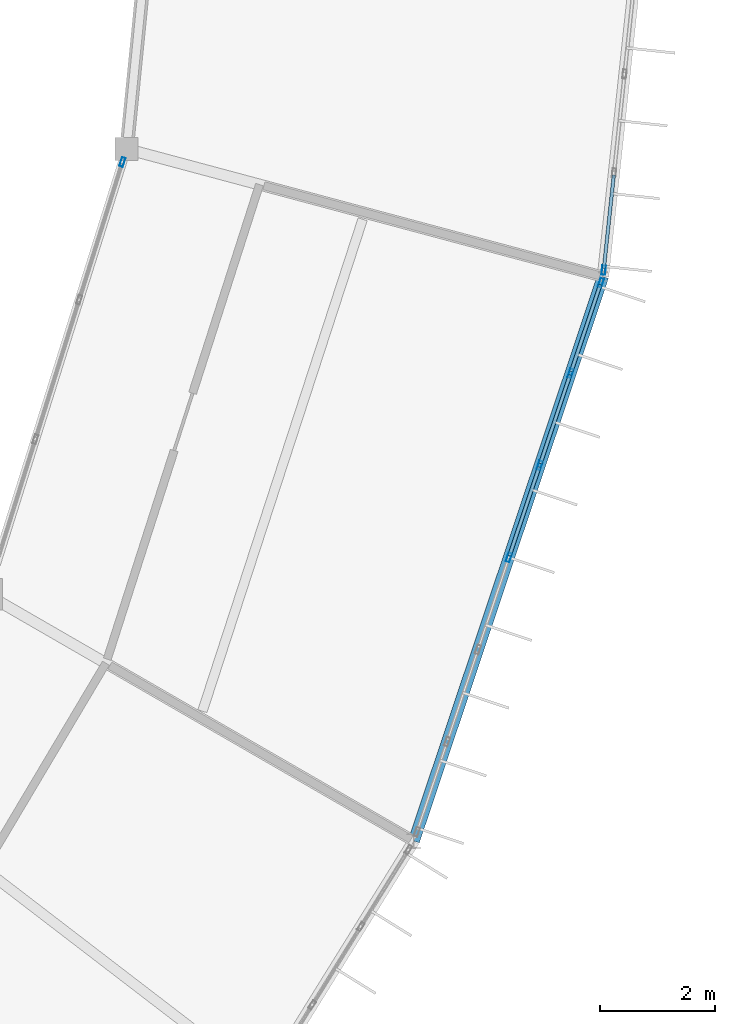
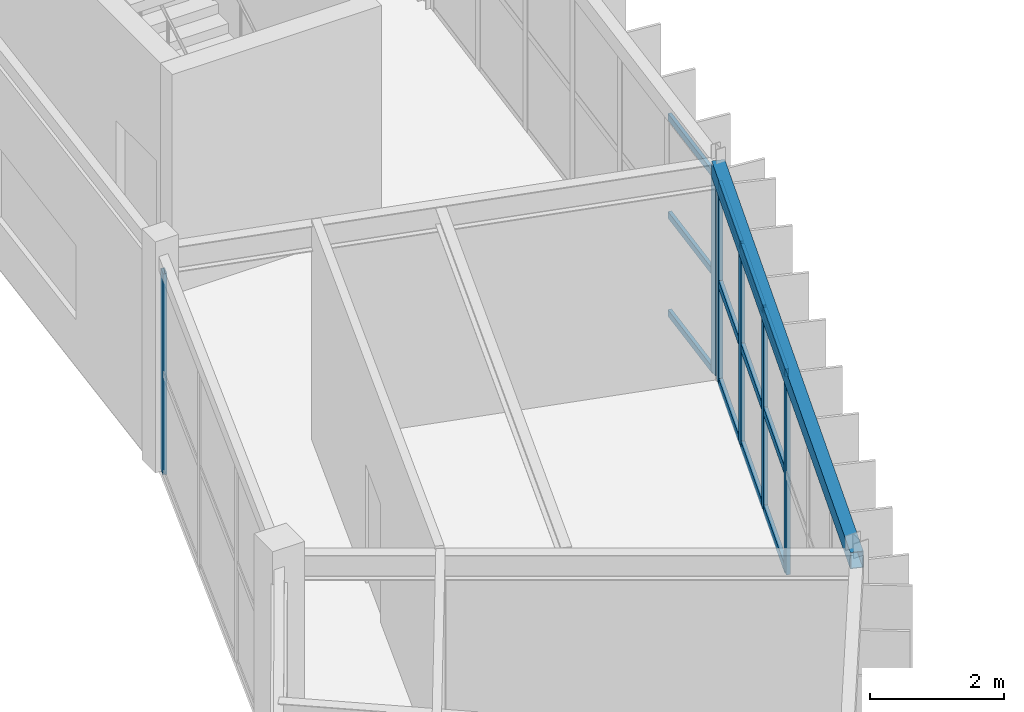
# One storey, part 49 of 106: 18 members, 1 beam, 3 elements without a shape of their own.
"""IFC4 building model written with IfcOpenShell, lengths in metres."""

from ifc_helpers import new_model, si_unit, direction, frame, origin, origin_2d, place, context, subcontext, project, spatial, hollow_rectangle, extrude, material, material_profile, profile_set, type_object, element, aggregate, save


model = new_model("IFC4")

# Units and contexts
model_context = context("Model", 3, precision=1e-05, world=origin(), true_north=direction((0.0, 1.0)))
body_context = subcontext(model_context, "Body", "Model", "MODEL_VIEW")
ifc_project = project(units=[si_unit("LENGTHUNIT", "METRE"), si_unit("AREAUNIT", "SQUARE_METRE"), si_unit("VOLUMEUNIT", "CUBIC_METRE"), si_unit("PLANEANGLEUNIT", "RADIAN"), si_unit("MASSUNIT", "GRAM", prefix="KILO")], contexts=[model_context])

# Site, building, storey
site_placement = place(None, origin())
site = spatial("IfcSite", under=ifc_project, at=site_placement, CompositionType="ELEMENT")
building_placement = place(site_placement, origin())
building = spatial("IfcBuilding", under=site, at=building_placement, Name="Karori Crest Natural Sciences Institute", CompositionType="ELEMENT")
storey_placement = place(building_placement, frame((0.0, 0.0, 25.89990234375)))
storey = spatial("IfcBuildingStorey", under=building, at=storey_placement, Name="L06", CompositionType="ELEMENT", Elevation=25.89990234375)

# Beam
ifc_material_1 = material(Name="Hollow structural steel AS/NZS 1163 Grade C350", Category="steel")
ifc_material_profile_1 = material_profile(ifc_material_1, hollow_rectangle(XDim=0.199951171875, YDim=0.300048828125, WallThickness=0.010009765625, at=origin_2d()), Name="RHS300x200x10")
ifc_profile_set_1 = profile_set([ifc_material_profile_1], Name="Hollow structural steel AS/NZS 1163 Grade C350")
beam_type = type_object("IfcBeamType", Name="BT-15", PredefinedType="SPANDREL", material=ifc_profile_set_1)
beam_placement = place(storey_placement, frame((94.978759765625, 29.5, 3.7900390625), z_axis=(0.317688324477, 0.948195195353, 0.0), x_axis=(-0.948195195353, 0.317688324477, 0.0)))
element("IfcBeam", 1, at=beam_placement, inside=storey, type_object=beam_type, Name="Beam B-0637", PredefinedType="SPANDREL", context=body_context, shape_type="SweptSolid", body=[
    extrude(hollow_rectangle(XDim=0.199951171875, YDim=0.300048828125, WallThickness=0.010009765625, at=origin_2d()), origin(), (0.0, 0.0, 1.0), 10.377685546875),
])

# Curtain wall, members
ifc_material_2 = material(Name="Anodised architectural aluminium 6063-T6", Category="aluminium")
curtain_wall_type_1 = type_object("IfcCurtainWallType", Name="CWT-03", PredefinedType="NOTDEFINED", material=ifc_material_2)
curtain_wall_1_placement = place(storey_placement, origin())
curtain_wall_1 = element("IfcCurtainWall", 2, at=curtain_wall_1_placement, inside=storey, type_object=curtain_wall_type_1, Name="Curtain wall CW-0217", PredefinedType="NOTDEFINED")
ifc_material_profile_2 = material_profile(ifc_material_2, hollow_rectangle(XDim=0.06494140625, YDim=0.159912109375, WallThickness=0.00390625, at=origin_2d()), Name="CWM160x65x4")
ifc_profile_set_2 = profile_set([ifc_material_profile_2], Name="Anodised architectural aluminium 6063-T6")
member_type_1 = type_object("IfcMemberType", Name="CWM-01", PredefinedType="MULLION", material=ifc_profile_set_2)
member_1_placement = place(storey_placement, frame((98.23876953125, 39.230224609375, 0.0), z_axis=(0.0, 0.0, 1.0), x_axis=(0.94819805026, -0.317679803392, 0.0)))
member_1 = element("IfcMember", 3, at=member_1_placement, type_object=member_type_1, Name="CW-0217 mullion 1", PredefinedType="MULLION", context=body_context, shape_type="SweptSolid", body=[
    extrude(hollow_rectangle(XDim=0.06494140625, YDim=0.159912109375, WallThickness=0.00390625, at=origin_2d()), origin(), (0.0, 0.0, 1.0), 3.625),
])
member_2_placement = place(storey_placement, frame((97.7109375, 37.655029296875, 0.0), z_axis=(0.0, 0.0, 1.0), x_axis=(0.94819805026, -0.317679803392, 0.0)))
member_2 = element("IfcMember", 4, at=member_2_placement, type_object=member_type_1, Name="CW-0217 mullion 2", PredefinedType="MULLION", context=body_context, shape_type="SweptSolid", body=[
    extrude(hollow_rectangle(XDim=0.06494140625, YDim=0.159912109375, WallThickness=0.00390625, at=origin_2d()), origin(), (0.0, 0.0, 1.0), 3.625),
])
member_3_placement = place(storey_placement, frame((97.1728515625, 36.049072265625, 0.0), z_axis=(0.0, 0.0, 1.0), x_axis=(0.94819805026, -0.317679803392, 0.0)))
member_3 = element("IfcMember", 5, at=member_3_placement, type_object=member_type_1, Name="CW-0217 mullion 3", PredefinedType="MULLION", context=body_context, shape_type="SweptSolid", body=[
    extrude(hollow_rectangle(XDim=0.06494140625, YDim=0.159912109375, WallThickness=0.00390625, at=origin_2d()), origin(), (0.0, 0.0, 1.0), 3.625),
])
member_4_placement = place(storey_placement, frame((96.635009765625, 34.443115234375, 0.0), z_axis=(0.0, 0.0, 1.0), x_axis=(0.94819805026, -0.317679803392, 0.0)))
member_4 = element("IfcMember", 6, at=member_4_placement, type_object=member_type_1, Name="CW-0217 mullion 4", PredefinedType="MULLION", context=body_context, shape_type="SweptSolid", body=[
    extrude(hollow_rectangle(XDim=0.06494140625, YDim=0.159912109375, WallThickness=0.00390625, at=origin_2d()), origin(), (0.0, 0.0, 1.0), 3.625),
])

# Curtain wall, member
curtain_wall_type_2 = type_object("IfcCurtainWallType", Name="CWT-13", PredefinedType="NOTDEFINED", material=ifc_material_2)
curtain_wall_2_placement = place(storey_placement, origin())
curtain_wall_2 = element("IfcCurtainWall", 7, at=curtain_wall_2_placement, inside=storey, type_object=curtain_wall_type_2, Name="Curtain wall CW-0218", PredefinedType="NOTDEFINED")
member_5_placement = place(storey_placement, frame((89.896728515625, 41.3369140625, 0.0), z_axis=(0.0, 0.0, 1.0), x_axis=(-0.954104067778, 0.299475254154, 0.0)))
member_5 = element("IfcMember", 8, at=member_5_placement, type_object=member_type_1, Name="CW-0218 mullion 4", PredefinedType="MULLION", context=body_context, shape_type="SweptSolid", body=[
    extrude(hollow_rectangle(XDim=0.06494140625, YDim=0.159912109375, WallThickness=0.00390625, at=origin_2d()), origin(), (0.0, 0.0, 1.0), 3.650146484375),
])
aggregate(curtain_wall_2, [member_5])

# Curtain wall, members
curtain_wall_type_3 = type_object("IfcCurtainWallType", Name="CWT-04", PredefinedType="NOTDEFINED", material=ifc_material_2)
curtain_wall_3_placement = place(storey_placement, origin())
curtain_wall_3 = element("IfcCurtainWall", 9, at=curtain_wall_3_placement, inside=storey, type_object=curtain_wall_type_3, Name="Curtain wall CW-0219", PredefinedType="NOTDEFINED")
member_6_placement = place(storey_placement, frame((98.287353515625, 39.45166015625, 0.0), z_axis=(0.0, 0.0, 1.0), x_axis=(0.994378309998, -0.105885677057, 0.0)))
member_6 = element("IfcMember", 10, at=member_6_placement, type_object=member_type_1, Name="CW-0219 mullion 7", PredefinedType="MULLION", context=body_context, shape_type="SweptSolid", body=[
    extrude(hollow_rectangle(XDim=0.06494140625, YDim=0.159912109375, WallThickness=0.00390625, at=origin_2d()), origin(), (0.0, 0.0, 1.0), 3.625),
])
ifc_material_profile_3 = material_profile(ifc_material_2, hollow_rectangle(XDim=0.06005859375, YDim=0.1201171875, WallThickness=0.00390625, at=origin_2d()), Name="CWT120x60x4")
ifc_profile_set_3 = profile_set([ifc_material_profile_3], Name="Anodised architectural aluminium 6063-T6")
member_type_2 = type_object("IfcMemberType", Name="CWT-TR1", PredefinedType="USERDEFINED", material=ifc_profile_set_3)
member_7_placement = place(storey_placement, frame((98.46435546875, 41.112548828125, 0.030029296875), z_axis=(-0.1059804823, -0.994368210157, 0.0), x_axis=(0.994368210157, -0.1059804823, 0.0)))
member_7 = element("IfcMember", 11, at=member_7_placement, type_object=member_type_2, Name="CW-0219 transom 6.1", ObjectType="TRANSOM", PredefinedType="USERDEFINED", context=body_context, shape_type="SweptSolid", body=[
    extrude(hollow_rectangle(XDim=0.06005859375, YDim=0.1201171875, WallThickness=0.00390625, at=origin_2d()), origin(), (0.0, 0.0, 1.0), 1.637939453125),
])
member_8_placement = place(storey_placement, frame((98.46435546875, 41.112548828125, 1.8125), z_axis=(-0.1059804823, -0.994368210157, 0.0), x_axis=(0.994368210157, -0.1059804823, 0.0)))
member_8 = element("IfcMember", 12, at=member_8_placement, type_object=member_type_2, Name="CW-0219 transom 6.2", ObjectType="TRANSOM", PredefinedType="USERDEFINED", context=body_context, shape_type="SweptSolid", body=[
    extrude(hollow_rectangle(XDim=0.06005859375, YDim=0.1201171875, WallThickness=0.00390625, at=origin_2d()), origin(), (0.0, 0.0, 1.0), 1.637939453125),
])
member_9_placement = place(storey_placement, frame((98.46435546875, 41.112548828125, 3.59521484375), z_axis=(-0.1059804823, -0.994368210157, 0.0), x_axis=(0.994368210157, -0.1059804823, 0.0)))
member_9 = element("IfcMember", 13, at=member_9_placement, type_object=member_type_2, Name="CW-0219 transom 6.3", ObjectType="TRANSOM", PredefinedType="USERDEFINED", context=body_context, shape_type="SweptSolid", body=[
    extrude(hollow_rectangle(XDim=0.06005859375, YDim=0.1201171875, WallThickness=0.00390625, at=origin_2d()), origin(), (0.0, 0.0, 1.0), 1.637939453125),
])
aggregate(curtain_wall_3, [member_6, member_7, member_8, member_9])

# Member
ifc_material_profile_4 = material_profile(ifc_material_2, hollow_rectangle(XDim=0.06494140625, YDim=0.14990234375, WallThickness=0.00390625, at=origin_2d()), Name="CWT150x65x4")
ifc_profile_set_4 = profile_set([ifc_material_profile_4], Name="Anodised architectural aluminium 6063-T6")
member_type_3 = type_object("IfcMemberType", Name="CWT-TR2", PredefinedType="USERDEFINED", material=ifc_profile_set_4)
member_10_placement = place(storey_placement, frame((98.228515625, 39.199462890625, 0.03271484375), z_axis=(-0.317695793379, -0.9481926929, 0.0), x_axis=(0.9481926929, -0.317695793379, 0.0)))
member_10 = element("IfcMember", 14, at=member_10_placement, type_object=member_type_3, Name="CW-0217 transom 1.1", ObjectType="TRANSOM", PredefinedType="USERDEFINED", context=body_context, shape_type="SweptSolid", body=[
    extrude(hollow_rectangle(XDim=0.06494140625, YDim=0.14990234375, WallThickness=0.00390625, at=origin_2d()), origin(), (0.0, 0.0, 1.0), 1.59619140625),
])

member_11_placement = place(storey_placement, frame((98.228515625, 39.199462890625, 1.8125), z_axis=(-0.317695793379, -0.9481926929, 0.0), x_axis=(0.9481926929, -0.317695793379, 0.0)))
member_11 = element("IfcMember", 15, at=member_11_placement, type_object=member_type_3, Name="CW-0217 transom 1.2", ObjectType="TRANSOM", PredefinedType="USERDEFINED", context=body_context, shape_type="SweptSolid", body=[
    extrude(hollow_rectangle(XDim=0.06494140625, YDim=0.14990234375, WallThickness=0.00390625, at=origin_2d()), origin(), (0.0, 0.0, 1.0), 1.59619140625),
])

member_12_placement = place(storey_placement, frame((98.228515625, 39.199462890625, 3.592529296875), z_axis=(-0.317695793379, -0.9481926929, 0.0), x_axis=(0.9481926929, -0.317695793379, 0.0)))
member_12 = element("IfcMember", 16, at=member_12_placement, type_object=member_type_3, Name="CW-0217 transom 1.3", ObjectType="TRANSOM", PredefinedType="USERDEFINED", context=body_context, shape_type="SweptSolid", body=[
    extrude(hollow_rectangle(XDim=0.06494140625, YDim=0.14990234375, WallThickness=0.00390625, at=origin_2d()), origin(), (0.0, 0.0, 1.0), 1.59619140625),
])

member_13_placement = place(storey_placement, frame((97.70068359375, 37.624267578125, 0.03271484375), z_axis=(-0.317621421426, -0.948217608279, 0.0), x_axis=(0.948217608279, -0.317621421426, 0.0)))
member_13 = element("IfcMember", 17, at=member_13_placement, type_object=member_type_3, Name="CW-0217 transom 2.1", ObjectType="TRANSOM", PredefinedType="USERDEFINED", context=body_context, shape_type="SweptSolid", body=[
    extrude(hollow_rectangle(XDim=0.06494140625, YDim=0.14990234375, WallThickness=0.00390625, at=origin_2d()), origin(), (0.0, 0.0, 1.0), 1.628662109375),
])

member_14_placement = place(storey_placement, frame((97.70068359375, 37.624267578125, 1.8125), z_axis=(-0.317621421426, -0.948217608279, 0.0), x_axis=(0.948217608279, -0.317621421426, 0.0)))
member_14 = element("IfcMember", 18, at=member_14_placement, type_object=member_type_3, Name="CW-0217 transom 2.2", ObjectType="TRANSOM", PredefinedType="USERDEFINED", context=body_context, shape_type="SweptSolid", body=[
    extrude(hollow_rectangle(XDim=0.06494140625, YDim=0.14990234375, WallThickness=0.00390625, at=origin_2d()), origin(), (0.0, 0.0, 1.0), 1.628662109375),
])

member_15_placement = place(storey_placement, frame((97.70068359375, 37.624267578125, 3.592529296875), z_axis=(-0.317621421426, -0.948217608279, 0.0), x_axis=(0.948217608279, -0.317621421426, 0.0)))
member_15 = element("IfcMember", 19, at=member_15_placement, type_object=member_type_3, Name="CW-0217 transom 2.3", ObjectType="TRANSOM", PredefinedType="USERDEFINED", context=body_context, shape_type="SweptSolid", body=[
    extrude(hollow_rectangle(XDim=0.06494140625, YDim=0.14990234375, WallThickness=0.00390625, at=origin_2d()), origin(), (0.0, 0.0, 1.0), 1.628662109375),
])

member_16_placement = place(storey_placement, frame((97.16259765625, 36.018310546875, 0.03271484375), z_axis=(-0.317621421426, -0.948217608279, 0.0), x_axis=(0.948217608279, -0.317621421426, 0.0)))
member_16 = element("IfcMember", 20, at=member_16_placement, type_object=member_type_3, Name="CW-0217 transom 3.1", ObjectType="TRANSOM", PredefinedType="USERDEFINED", context=body_context, shape_type="SweptSolid", body=[
    extrude(hollow_rectangle(XDim=0.06494140625, YDim=0.14990234375, WallThickness=0.00390625, at=origin_2d()), origin(), (0.0, 0.0, 1.0), 1.628662109375),
])

member_17_placement = place(storey_placement, frame((97.16259765625, 36.018310546875, 1.8125), z_axis=(-0.317621421426, -0.948217608279, 0.0), x_axis=(0.948217608279, -0.317621421426, 0.0)))
member_17 = element("IfcMember", 21, at=member_17_placement, type_object=member_type_3, Name="CW-0217 transom 3.2", ObjectType="TRANSOM", PredefinedType="USERDEFINED", context=body_context, shape_type="SweptSolid", body=[
    extrude(hollow_rectangle(XDim=0.06494140625, YDim=0.14990234375, WallThickness=0.00390625, at=origin_2d()), origin(), (0.0, 0.0, 1.0), 1.628662109375),
])

member_18_placement = place(storey_placement, frame((97.16259765625, 36.018310546875, 3.592529296875), z_axis=(-0.317621421426, -0.948217608279, 0.0), x_axis=(0.948217608279, -0.317621421426, 0.0)))
member_18 = element("IfcMember", 22, at=member_18_placement, type_object=member_type_3, Name="CW-0217 transom 3.3", ObjectType="TRANSOM", PredefinedType="USERDEFINED", context=body_context, shape_type="SweptSolid", body=[
    extrude(hollow_rectangle(XDim=0.06494140625, YDim=0.14990234375, WallThickness=0.00390625, at=origin_2d()), origin(), (0.0, 0.0, 1.0), 1.628662109375),
])

aggregate(curtain_wall_1, [member_1, member_2, member_3, member_4, member_10, member_11, member_12, member_13, member_14, member_15, member_16, member_17, member_18])

save(model, "model.ifc")
